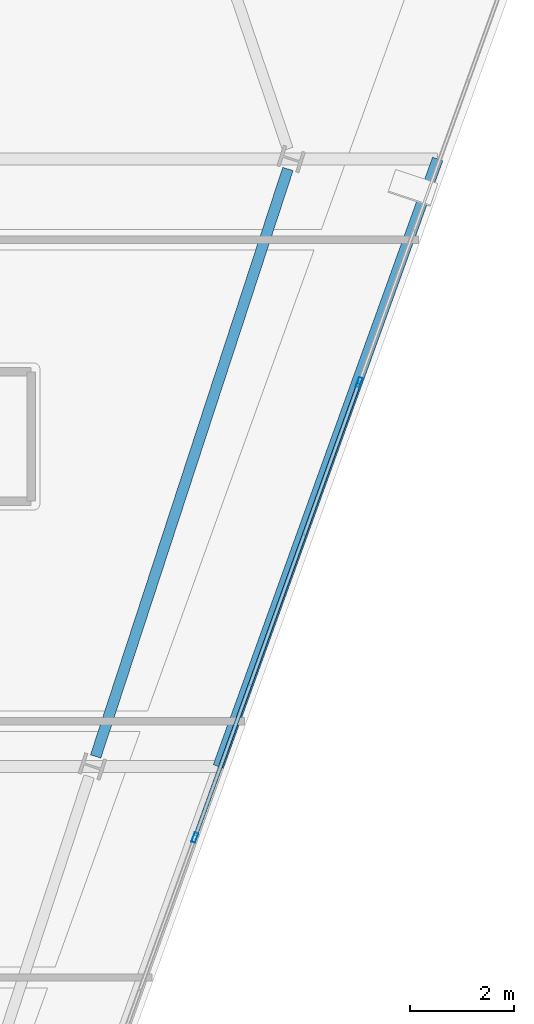
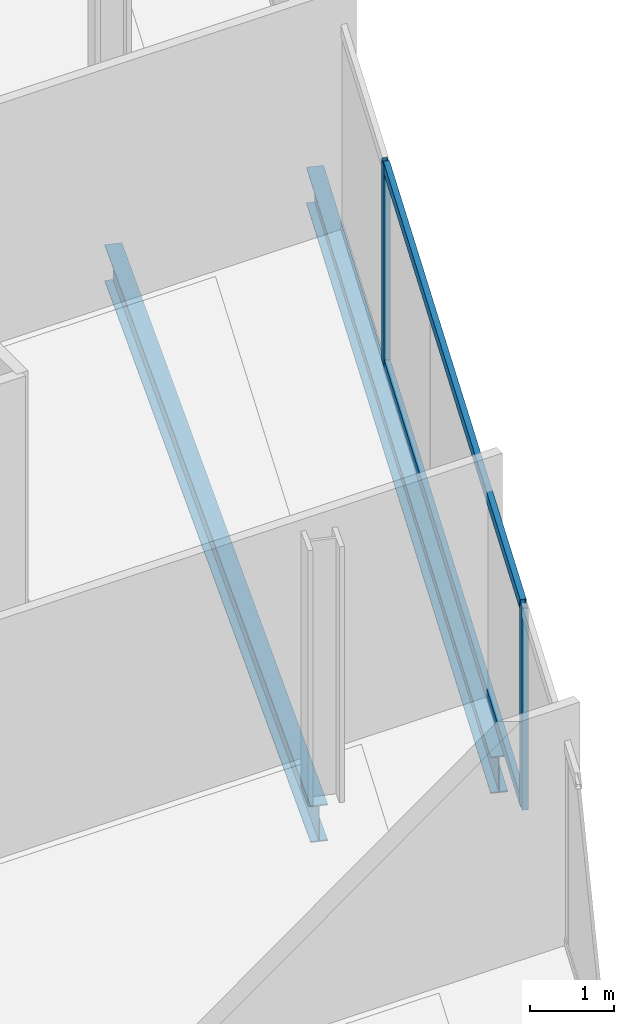
# One storey, part 11 of 27: 4 members, 2 beams, 1 element without a shape of its own.
"""IFC4 building model written with IfcOpenShell, lengths in metres."""

from ifc_helpers import new_model, si_unit, direction, frame, origin, origin_2d, place, context, subcontext, project, spatial, hollow_rectangle, i_section, extrude, material, material_profile, profile_set, type_object, element, aggregate, save


model = new_model("IFC4")

# Units and contexts
model_context = context("Model", 3, precision=1e-05, world=origin(), true_north=direction((0.0, 1.0)))
body_context = subcontext(model_context, "Body", "Model", "MODEL_VIEW")
ifc_project = project(units=[si_unit("LENGTHUNIT", "METRE"), si_unit("AREAUNIT", "SQUARE_METRE"), si_unit("VOLUMEUNIT", "CUBIC_METRE"), si_unit("PLANEANGLEUNIT", "RADIAN"), si_unit("MASSUNIT", "GRAM", prefix="KILO")], contexts=[model_context])

# Site, building, storey
site_placement = place(None, origin())
site = spatial("IfcSite", under=ifc_project, at=site_placement, CompositionType="ELEMENT")
building_placement = place(site_placement, origin())
building = spatial("IfcBuilding", under=site, at=building_placement, Name="Haldenkirk Collegiate Tower", CompositionType="ELEMENT")
storey_placement = place(building_placement, frame((0.0, 0.0, 263.699951171875)))
storey = spatial("IfcBuildingStorey", under=building, at=storey_placement, Name="L66", CompositionType="ELEMENT", Elevation=263.699951171875)

# Beams
ifc_material_1 = material(Name="Steel ASTM A992 Grade 50", Category="steel")
ifc_material_profile_1 = material_profile(ifc_material_1, i_section(OverallWidth=0.2099609375, OverallDepth=0.537109375, WebThickness=0.010986328125, FlangeThickness=0.017333984375, at=origin_2d()), Name="W21X68")
ifc_profile_set_1 = profile_set([ifc_material_profile_1], Name="Steel ASTM A992 Grade 50")
beam_type = type_object("IfcBeamType", Name="BM-SPANDREL-W21X68", PredefinedType="SPANDREL", material=ifc_profile_set_1)
beam_1_placement = place(storey_placement, frame((55.54638671875, 19.81689453125, -0.538330078125), z_axis=(0.311010188249, 0.950406577631, 0.0), x_axis=(-0.950406577631, 0.311010188249, 0.0)))
element("IfcBeam", 1, at=beam_1_placement, inside=storey, type_object=beam_type, Name="L66 perimeter spandrel beam 03", PredefinedType="SPANDREL", context=body_context, shape_type="SweptSolid", body=[
    extrude(i_section(OverallWidth=0.2099609375, OverallDepth=0.537109375, WebThickness=0.010986328125, FlangeThickness=0.017333984375, at=origin_2d()), origin(), (0.0, 0.0, 1.0), 11.94287109375),
])
beam_2_placement = place(storey_placement, frame((57.917236328125, 19.624267578125, -0.538330078125), z_axis=(0.339564645474, 0.94058271914, 0.0), x_axis=(-0.94058271914, 0.339564645474, 0.0)))
element("IfcBeam", 2, at=beam_2_placement, inside=storey, type_object=beam_type, Name="L66 outer facade edge beam 1B", PredefinedType="SPANDREL", context=body_context, shape_type="SweptSolid", body=[
    extrude(i_section(OverallWidth=0.2099609375, OverallDepth=0.537109375, WebThickness=0.010986328125, FlangeThickness=0.017333984375, at=origin_2d()), origin(), (0.0, 0.0, 1.0), 12.477294921875),
])

# Curtain wall, members
ifc_material_2 = material(Name="Anodised architectural bronze aluminium", Category="aluminium")
curtain_wall_type = type_object("IfcCurtainWallType", Name="CW-SYS2-CONCAVE", PredefinedType="USERDEFINED", material=ifc_material_2)
curtain_wall_placement = place(storey_placement, origin())
curtain_wall = element("IfcCurtainWall", 3, at=curtain_wall_placement, inside=storey, type_object=curtain_wall_type, Name="L66 South concave recessed bronze-anodised curtain wall", ObjectType="UNITISED CURTAIN WALL", PredefinedType="USERDEFINED")
ifc_material_profile_2 = material_profile(ifc_material_2, hollow_rectangle(XDim=0.074951171875, YDim=0.18994140625, WallThickness=0.0048828125, at=origin_2d()), Name="CW-MUL-02")
ifc_profile_set_2 = profile_set([ifc_material_profile_2], Name="Anodised architectural bronze aluminium")
member_type_1 = type_object("IfcMemberType", Name="CW-MUL-02", PredefinedType="MULLION", material=ifc_profile_set_2)
member_1_placement = place(storey_placement, frame((60.638916015625, 27.045654296875, 0.0), z_axis=(0.0, 0.0, 1.0), x_axis=(0.940584906317, -0.339558587006, 0.0)))
member_1 = element("IfcMember", 4, at=member_1_placement, type_object=member_type_1, Name="CW-02 mullion 2", PredefinedType="MULLION", context=body_context, shape_type="SweptSolid", body=[
    extrude(hollow_rectangle(XDim=0.074951171875, YDim=0.18994140625, WallThickness=0.0048828125, at=origin_2d()), origin(), (0.0, 0.0, 1.0), 2.93798828125),
])
member_2_placement = place(storey_placement, frame((57.464111328125, 18.251220703125, 0.0), z_axis=(0.0, 0.0, 1.0), x_axis=(0.940584906317, -0.339558587006, 0.0)))
member_2 = element("IfcMember", 5, at=member_2_placement, type_object=member_type_1, Name="CW-02 mullion 3", PredefinedType="MULLION", context=body_context, shape_type="SweptSolid", body=[
    extrude(hollow_rectangle(XDim=0.074951171875, YDim=0.18994140625, WallThickness=0.0048828125, at=origin_2d()), origin(), (0.0, 0.0, 1.0), 2.93798828125),
])
ifc_material_profile_3 = material_profile(ifc_material_2, hollow_rectangle(XDim=0.074951171875, YDim=0.159912109375, WallThickness=0.0048828125, at=origin_2d()), Name="CW-TRN-02")
ifc_profile_set_3 = profile_set([ifc_material_profile_3], Name="Anodised architectural bronze aluminium")
member_type_2 = type_object("IfcMemberType", Name="CW-TRN-02", PredefinedType="USERDEFINED", material=ifc_profile_set_3)
member_3_placement = place(storey_placement, frame((60.626220703125, 27.010498046875, 0.03759765625), z_axis=(-0.339561020825, -0.940584027685, 0.0), x_axis=(0.940584027685, -0.339561020825, 0.0)))
member_3 = element("IfcMember", 6, at=member_3_placement, type_object=member_type_2, Name="CW-02 transom 2.1", ObjectType="TRANSOM", PredefinedType="USERDEFINED", context=body_context, shape_type="SweptSolid", body=[
    extrude(hollow_rectangle(XDim=0.074951171875, YDim=0.159912109375, WallThickness=0.0048828125, at=origin_2d()), origin(), (0.0, 0.0, 1.0), 9.27490234375),
])
member_4_placement = place(storey_placement, frame((60.626220703125, 27.010498046875, 2.900634765625), z_axis=(-0.339561020825, -0.940584027685, 0.0), x_axis=(0.940584027685, -0.339561020825, 0.0)))
member_4 = element("IfcMember", 7, at=member_4_placement, type_object=member_type_2, Name="CW-02 transom 2.2", ObjectType="TRANSOM", PredefinedType="USERDEFINED", context=body_context, shape_type="SweptSolid", body=[
    extrude(hollow_rectangle(XDim=0.074951171875, YDim=0.159912109375, WallThickness=0.0048828125, at=origin_2d()), origin(), (0.0, 0.0, 1.0), 9.27490234375),
])
aggregate(curtain_wall, [member_1, member_2, member_3, member_4])

save(model, "model.ifc")
